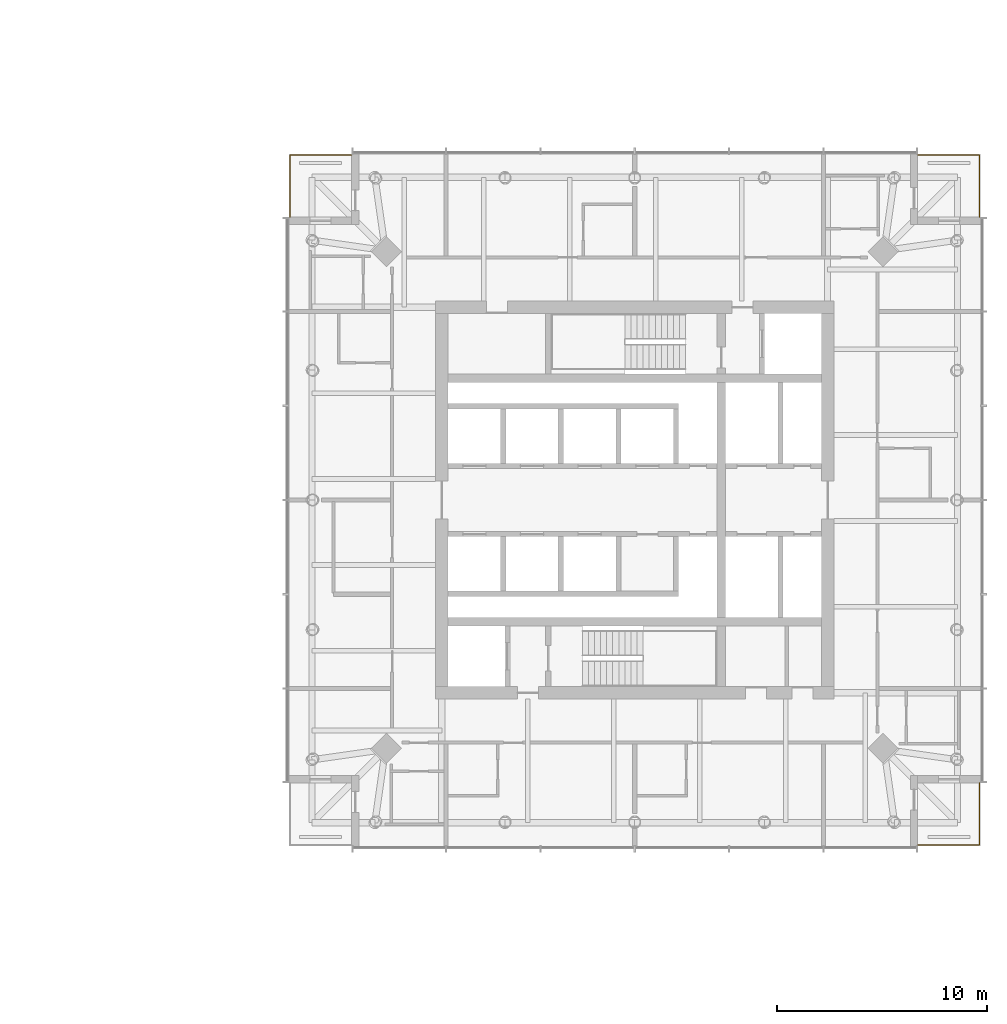
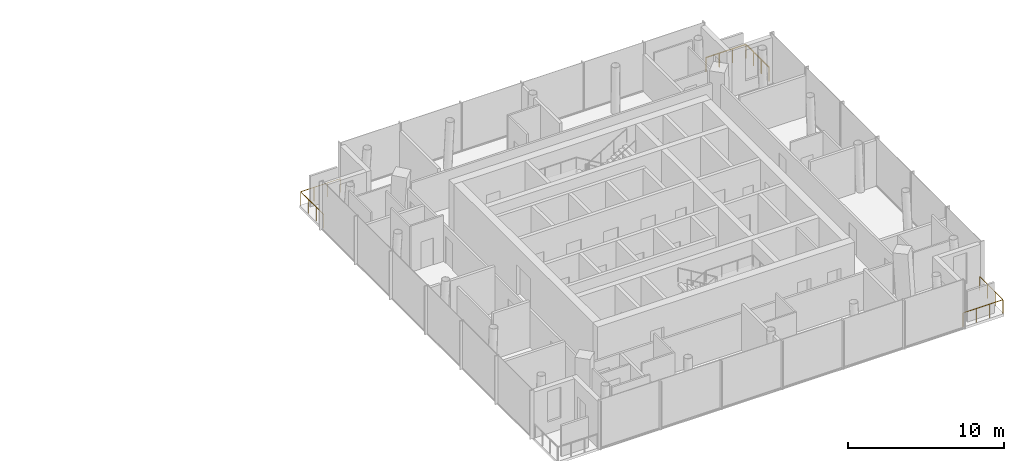
# One storey, part 18 of 18: 3 railings.
"""IFC4 building model written with IfcOpenShell, lengths in metres."""

from ifc_helpers import new_model, si_unit, direction, frame, origin, origin_2d, place, context, subcontext, project, spatial, circle, extrude, material, type_object, element, save


model = new_model("IFC4")

# Units and contexts
model_context = context("Model", 3, precision=1e-05, world=origin(), true_north=direction((0.0, 1.0)))
body_context = subcontext(model_context, "Body", "Model", "MODEL_VIEW")
ifc_project = project(units=[si_unit("LENGTHUNIT", "METRE"), si_unit("AREAUNIT", "SQUARE_METRE"), si_unit("VOLUMEUNIT", "CUBIC_METRE"), si_unit("PLANEANGLEUNIT", "RADIAN"), si_unit("MASSUNIT", "GRAM", prefix="KILO")], contexts=[model_context])

# Site, building, storey
site_placement = place(None, origin())
site = spatial("IfcSite", under=ifc_project, at=site_placement, CompositionType="ELEMENT")
building_placement = place(site_placement, origin())
building = spatial("IfcBuilding", under=site, at=building_placement, Name="Ostroluk Exchange", CompositionType="ELEMENT")
storey_placement = place(building_placement, frame((0.0, 0.0, 104.60009765625)))
storey = spatial("IfcBuildingStorey", under=building, at=storey_placement, Name="L26", CompositionType="ELEMENT", Elevation=104.60009765625)

# Railings
ifc_material = material(Name="Stainless steel", Category="steel")
railing_type = type_object("IfcRailingType", Name="Guard 1100 stainless steel", PredefinedType="GUARDRAIL", material=ifc_material)
railing_1_placement = place(storey_placement, frame((130.5, 29.550048828125, 0.0)))
element("IfcRailing", 1, at=railing_1_placement, inside=storey, type_object=railing_type, Name="Hotel tower SE balcony guard L26", PredefinedType="GUARDRAIL", context=body_context, shape_type="SweptSolid", body=[
    extrude(circle(Radius=0.02392578125, at=origin_2d()), frame((0.0, 0.0, 1.076171875), z_axis=(1.0, 0.0, 0.0), x_axis=(0.0, 1.0, 0.0)), (0.0, 0.0, 1.0), 2.949951171875),
    extrude(circle(Radius=0.02392578125, at=origin_2d()), frame((2.949951171875, 0.0, 1.076171875), z_axis=(0.0, 1.0, 0.0), x_axis=(-1.0, 0.0, 0.0)), (0.0, 0.0, 1.0), 2.949951171875),
    extrude(circle(Radius=0.02099609375, at=origin_2d()), origin(), (0.0, 0.0, 1.0), 1.052001953125),
    extrude(circle(Radius=0.02099609375, at=origin_2d()), frame((0.9833984375, 0.0, 0.0)), (0.0, 0.0, 1.0), 1.052001953125),
    extrude(circle(Radius=0.02099609375, at=origin_2d()), frame((1.966552734375, 0.0, 0.0)), (0.0, 0.0, 1.0), 1.052001953125),
    extrude(circle(Radius=0.02099609375, at=origin_2d()), frame((2.949951171875, 0.0, 0.0)), (0.0, 0.0, 1.0), 1.052001953125),
    extrude(circle(Radius=0.02099609375, at=origin_2d()), frame((2.949951171875, 0.9833984375, 0.0)), (0.0, 0.0, 1.0), 1.052001953125),
    extrude(circle(Radius=0.02099609375, at=origin_2d()), frame((2.949951171875, 1.966552734375, 0.0)), (0.0, 0.0, 1.0), 1.052001953125),
    extrude(circle(Radius=0.02099609375, at=origin_2d()), frame((2.949951171875, 2.949951171875, 0.0)), (0.0, 0.0, 1.0), 1.052001953125),
])
railing_2_placement = place(storey_placement, frame((130.5, 62.449951171875, 0.0)))
element("IfcRailing", 2, at=railing_2_placement, inside=storey, type_object=railing_type, Name="Hotel tower NE balcony guard L26", PredefinedType="GUARDRAIL", context=body_context, shape_type="SweptSolid", body=[
    extrude(circle(Radius=0.02392578125, at=origin_2d()), frame((0.0, 0.0, 1.076171875), z_axis=(1.0, 0.0, 0.0), x_axis=(0.0, 1.0, 0.0)), (0.0, 0.0, 1.0), 2.949951171875),
    extrude(circle(Radius=0.02392578125, at=origin_2d()), frame((2.949951171875, 0.0, 1.076171875), z_axis=(0.0, -1.0, 0.0), x_axis=(1.0, 0.0, 0.0)), (0.0, 0.0, 1.0), 2.949951171875),
    extrude(circle(Radius=0.02099609375, at=origin_2d()), origin(), (0.0, 0.0, 1.0), 1.052001953125),
    extrude(circle(Radius=0.02099609375, at=origin_2d()), frame((0.9833984375, 0.0, 0.0)), (0.0, 0.0, 1.0), 1.052001953125),
    extrude(circle(Radius=0.02099609375, at=origin_2d()), frame((1.966552734375, 0.0, 0.0)), (0.0, 0.0, 1.0), 1.052001953125),
    extrude(circle(Radius=0.02099609375, at=origin_2d()), frame((2.949951171875, 0.0, 0.0)), (0.0, 0.0, 1.0), 1.052001953125),
    extrude(circle(Radius=0.02099609375, at=origin_2d()), frame((2.949951171875, -0.9833984375, 0.0)), (0.0, 0.0, 1.0), 1.052001953125),
    extrude(circle(Radius=0.02099609375, at=origin_2d()), frame((2.949951171875, -1.966552734375, 0.0)), (0.0, 0.0, 1.0), 1.052001953125),
    extrude(circle(Radius=0.02099609375, at=origin_2d()), frame((2.949951171875, -2.949951171875, 0.0)), (0.0, 0.0, 1.0), 1.052001953125),
])
railing_3_placement = place(storey_placement, frame((103.5, 62.449951171875, 0.0)))
element("IfcRailing", 3, at=railing_3_placement, inside=storey, type_object=railing_type, Name="Hotel tower NW balcony guard L26", PredefinedType="GUARDRAIL", context=body_context, shape_type="SweptSolid", body=[
    extrude(circle(Radius=0.02392578125, at=origin_2d()), frame((0.0, 0.0, 1.076171875), z_axis=(-1.0, 0.0, 0.0), x_axis=(0.0, -1.0, 0.0)), (0.0, 0.0, 1.0), 2.949951171875),
    extrude(circle(Radius=0.02392578125, at=origin_2d()), frame((-2.949951171875, 0.0, 1.076171875), z_axis=(0.0, -1.0, 0.0), x_axis=(1.0, 0.0, 0.0)), (0.0, 0.0, 1.0), 2.949951171875),
    extrude(circle(Radius=0.02099609375, at=origin_2d()), origin(), (0.0, 0.0, 1.0), 1.052001953125),
    extrude(circle(Radius=0.02099609375, at=origin_2d()), frame((-0.9833984375, 0.0, 0.0)), (0.0, 0.0, 1.0), 1.052001953125),
    extrude(circle(Radius=0.02099609375, at=origin_2d()), frame((-1.966552734375, 0.0, 0.0)), (0.0, 0.0, 1.0), 1.052001953125),
    extrude(circle(Radius=0.02099609375, at=origin_2d()), frame((-2.949951171875, 0.0, 0.0)), (0.0, 0.0, 1.0), 1.052001953125),
    extrude(circle(Radius=0.02099609375, at=origin_2d()), frame((-2.949951171875, -0.9833984375, 0.0)), (0.0, 0.0, 1.0), 1.052001953125),
    extrude(circle(Radius=0.02099609375, at=origin_2d()), frame((-2.949951171875, -1.966552734375, 0.0)), (0.0, 0.0, 1.0), 1.052001953125),
    extrude(circle(Radius=0.02099609375, at=origin_2d()), frame((-2.949951171875, -2.949951171875, 0.0)), (0.0, 0.0, 1.0), 1.052001953125),
])

save(model, "model.ifc")
